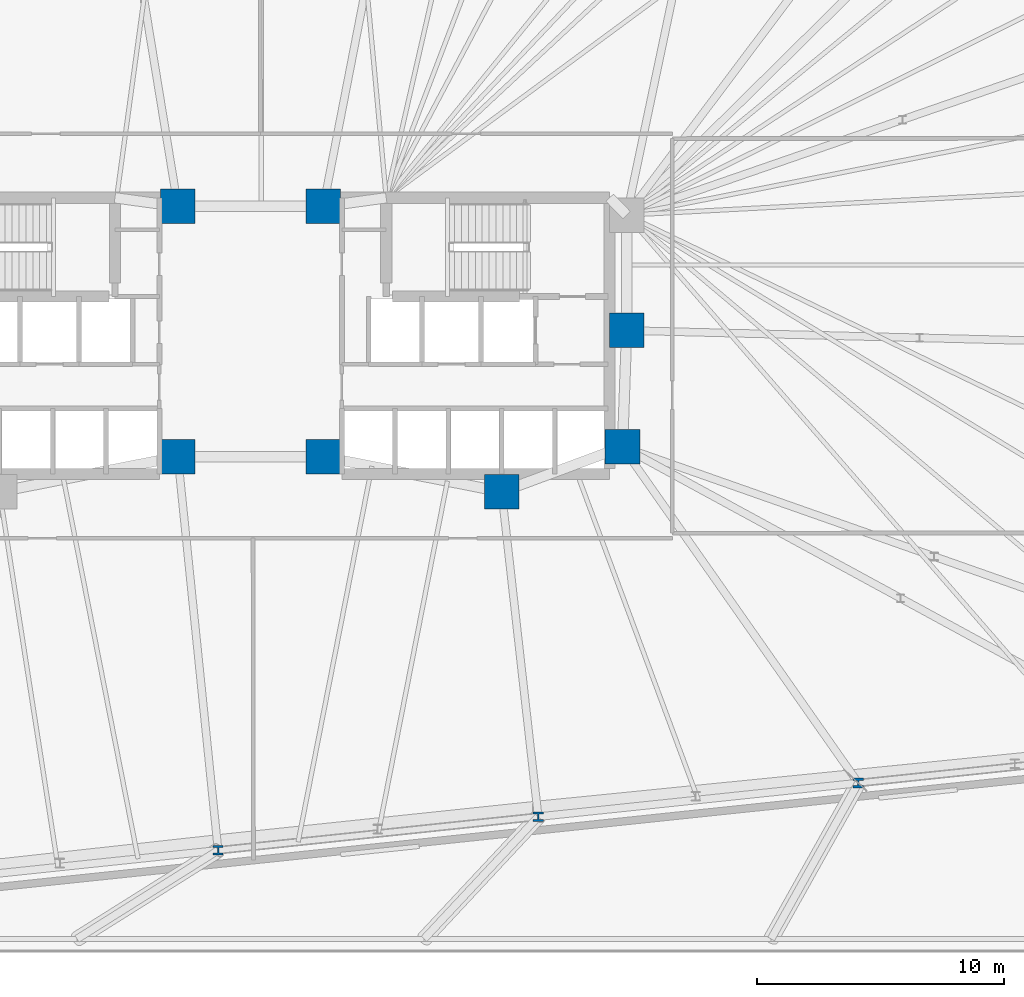
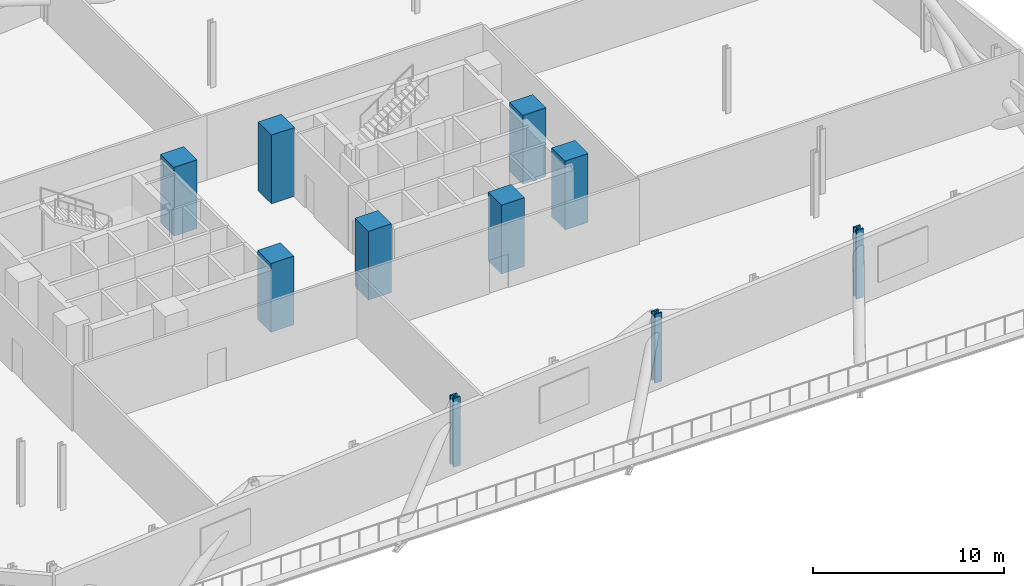
# One storey, part 3 of 17: 10 columns.
"""IFC4 building model written with IfcOpenShell, lengths in metres."""

from ifc_helpers import new_model, si_unit, direction, frame, origin, origin_2d, place, context, subcontext, project, spatial, rectangle, i_section, extrude, material, material_profile, profile_set, type_object, element, save


model = new_model("IFC4")

# Units and contexts
model_context = context("Model", 3, precision=1e-05, world=origin(), true_north=direction((0.0, 1.0)))
body_context = subcontext(model_context, "Body", "Model", "MODEL_VIEW")
ifc_project = project(units=[si_unit("LENGTHUNIT", "METRE"), si_unit("AREAUNIT", "SQUARE_METRE"), si_unit("VOLUMEUNIT", "CUBIC_METRE"), si_unit("PLANEANGLEUNIT", "RADIAN"), si_unit("MASSUNIT", "GRAM", prefix="KILO")], contexts=[model_context])

# Site, building, storey
site_placement = place(None, origin())
site = spatial("IfcSite", under=ifc_project, at=site_placement, CompositionType="ELEMENT")
building_placement = place(site_placement, origin())
building = spatial("IfcBuilding", under=site, at=building_placement, Name="Menara Jurai Vektor", CompositionType="ELEMENT")
storey_placement = place(building_placement, frame((0.0, 0.0, 78.800048828125)))
storey = spatial("IfcBuildingStorey", under=building, at=storey_placement, Name="L19", CompositionType="ELEMENT", Elevation=78.800048828125)

# Columns
ifc_material_1 = material(Name="Concrete C60/75", Category="concrete")
ifc_material_profile_1 = material_profile(ifc_material_1, rectangle(XDim=1.39990234375, YDim=1.39990234375, at=origin_2d()), Name="RC 1400x1400")
ifc_profile_set_1 = profile_set([ifc_material_profile_1], Name="Concrete C60/75")
column_type_1 = type_object("IfcColumnType", Name="STR-COL-RC1400", PredefinedType="COLUMN", material=ifc_profile_set_1)
for number, where, z_axis, x_axis, name in (
    (1, (-2.949951171875, -4.89990234375, 0.0), (0.0, 0.0, 1.0), (1.0, 0.0, 0.0), "Core Spine Column CW-SE L19"),
    (2, (-2.949951171875, 5.25, 0.0), (0.0, 0.0, 1.0), (1.0, 0.0, 0.0), "Core Spine Column CW-NE L19"),
    (3, (15.25, 0.219970703125, 0.0), (0.0, 0.0, 1.0), (1.0, 0.0, 0.0), "Core Spine Column CE-EM L19"),
    (4, (15.080078125, -4.5, 0.0), (0.0, 0.0, 1.0), (1.0, 0.0, 0.0), "Core Spine Column CE-SE L19"),
    (5, (10.179931640625, -6.320068359375, 0.0), (0.0, 0.0, 1.0), (1.0, 0.0, 0.0), "Core Spine Column CE-SM L19"),
    (6, (2.949951171875, -4.89990234375, 0.0), (0.0, 0.0, 1.0), (1.0, 0.0, 0.0), "Core Spine Column CE-SW L19"),
    (7, (2.949951171875, 5.25, 0.0), (0.0, 0.0, 1.0), (1.0, 0.0, 0.0), "Core Spine Column CE-NW L19"),
):
    element("IfcColumn", number, at=place(storey_placement, frame(where, z_axis=z_axis, x_axis=x_axis)), inside=storey, type_object=column_type_1, Name=name, PredefinedType="COLUMN", context=body_context, shape_type="SweptSolid", body=[
        extrude(rectangle(XDim=1.39990234375, YDim=1.39990234375, at=origin_2d()), origin(), (0.0, 0.0, 1.0), 4.39990234375),
    ])
ifc_material_2 = material(Name="Steel S460", Category="steel")
ifc_material_profile_2 = material_profile(ifc_material_2, i_section(OverallWidth=0.4130859375, OverallDepth=0.39794921875, WebThickness=0.055908203125, FlangeThickness=0.089111328125, FilletRadius=0.014892578125, at=origin_2d()), Name="HD 400x744")
ifc_profile_set_2 = profile_set([ifc_material_profile_2], Name="Steel S460")
column_type_2 = type_object("IfcColumnType", Name="STR-EXO-BLK2", PredefinedType="COLUMN", material=ifc_profile_set_2)
for number, where, z_axis, x_axis, name in (
    (8, (-1.317138671875, -20.857666015625, 0.0), (0.0, 0.0, 1.0), (1.0, 0.0, 0.0), "Exoskeleton Column BLK2-S3 L19"),
    (9, (11.66259765625, -19.49365234375, 0.0), (0.0, 0.0, 1.0), (1.0, 0.0, 0.0), "Exoskeleton Column BLK2-S4 L19"),
    (10, (24.642333984375, -18.12939453125, 0.0), (0.0, 0.0, 1.0), (1.0, 0.0, 0.0), "Exoskeleton Column BLK2-S5 L19"),
):
    element("IfcColumn", number, at=place(storey_placement, frame(where, z_axis=z_axis, x_axis=x_axis)), inside=storey, type_object=column_type_2, Name=name, PredefinedType="COLUMN", context=body_context, shape_type="SweptSolid", body=[
        extrude(i_section(OverallWidth=0.4130859375, OverallDepth=0.39794921875, WebThickness=0.055908203125, FlangeThickness=0.089111328125, FilletRadius=0.014892578125, at=origin_2d()), origin(), (0.0, 0.0, 1.0), 4.39990234375),
    ])

save(model, "model.ifc")
